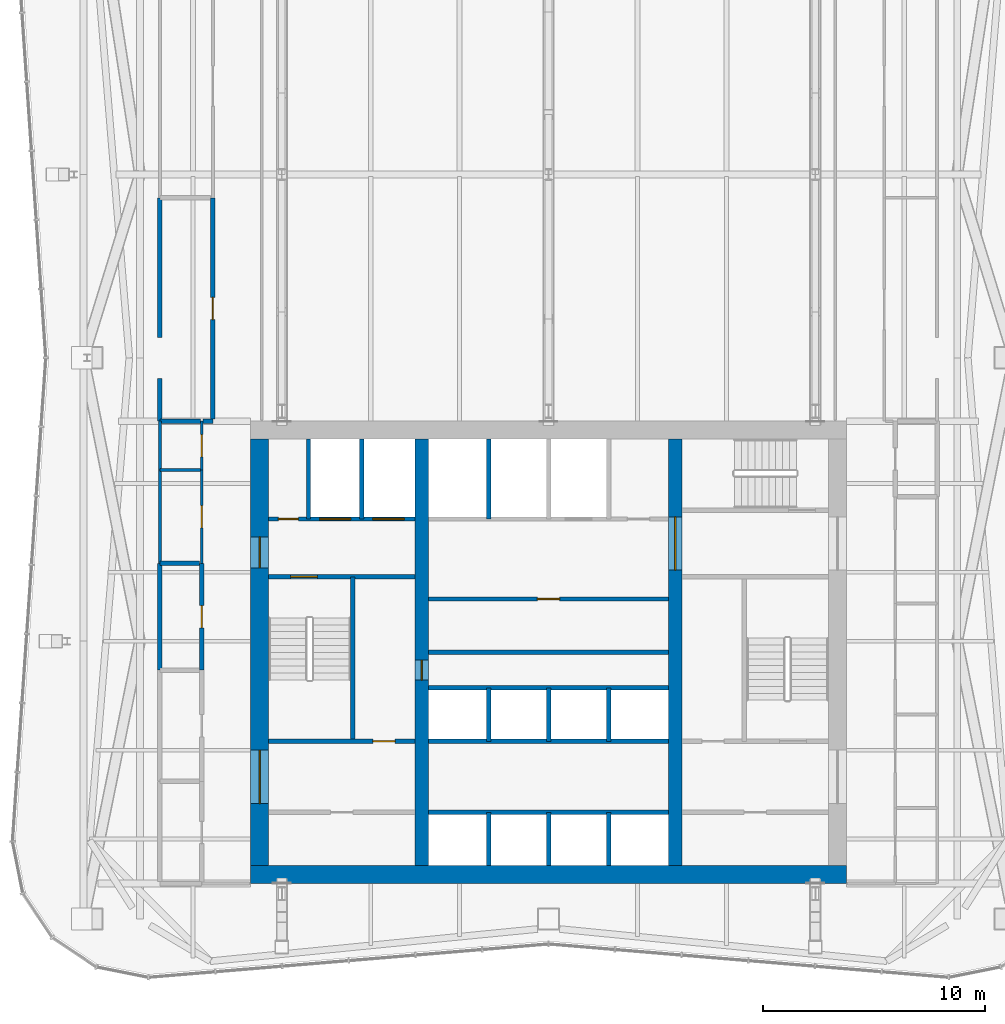
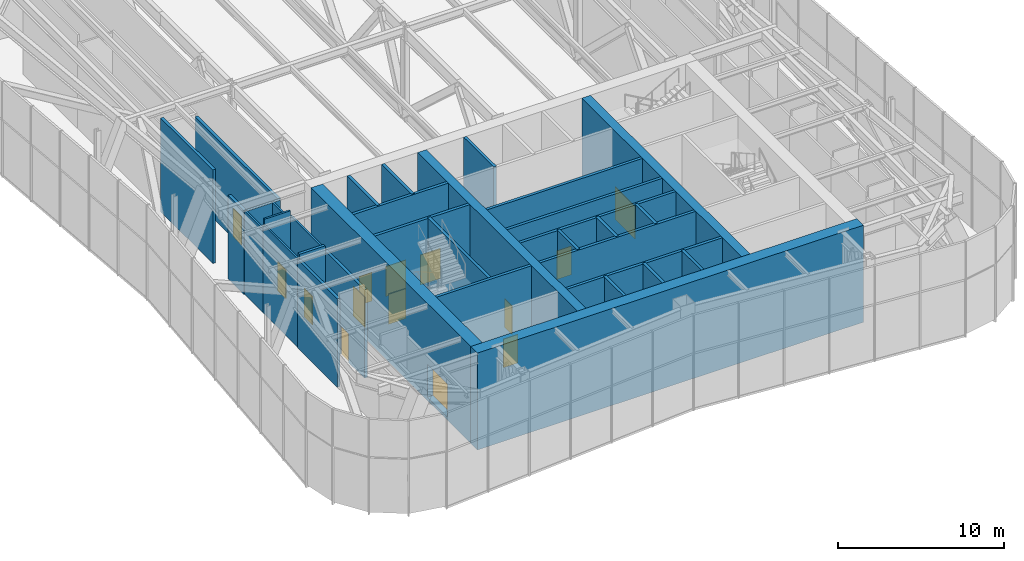
# One storey, part 12 of 17: 35 walls, 14 doors, 14 openings.
"""IFC4 building model written with IfcOpenShell, lengths in metres."""

from ifc_helpers import new_model, si_unit, direction, frame, frame_2d, origin, place, context, subcontext, project, spatial, rectangle, extrude, material, layer, layer_set, type_object, element, fill, save


model = new_model("IFC4")

# Units and contexts
model_context = context("Model", 3, precision=1e-05, world=origin(), true_north=direction((0.0, 1.0)))
body_context = subcontext(model_context, "Body", "Model", "MODEL_VIEW")
ifc_project = project(units=[si_unit("LENGTHUNIT", "METRE"), si_unit("AREAUNIT", "SQUARE_METRE"), si_unit("VOLUMEUNIT", "CUBIC_METRE"), si_unit("PLANEANGLEUNIT", "RADIAN"), si_unit("MASSUNIT", "GRAM", prefix="KILO")], contexts=[model_context])

# Site, building, storey
site_placement = place(None, origin())
site = spatial("IfcSite", under=ifc_project, at=site_placement, CompositionType="ELEMENT")
building_placement = place(site_placement, origin())
building = spatial("IfcBuilding", under=site, at=building_placement, Name="Verdant Reach Tower", CompositionType="ELEMENT")
storey_placement = place(building_placement, frame((0.0, 0.0, 282.0)))
storey = spatial("IfcBuildingStorey", under=building, at=storey_placement, Name="L65 Plant", CompositionType="ELEMENT", Elevation=282.0)

# Wall
ifc_material_1 = material(Name="Gypsum board on steel studs", Category="steel")
ifc_layer_1 = layer(ifc_material_1, 0.199951171875)
ifc_layer_set_1 = layer_set([ifc_layer_1], Name="CO-WALL-ROOM")
wall_type_1 = type_object("IfcWallType", Name="CO-WALL-ROOM", PredefinedType="PARTITIONING", material=ifc_layer_set_1)
wall_1_placement = place(storey_placement, frame((-5.39990234375, 28.0, 0.0), z_axis=(0.0, 0.0, 1.0), x_axis=(1.0, 0.0, 0.0)))
element("IfcWall", 1, at=wall_1_placement, inside=storey, type_object=wall_type_1, Name="Core partition, L65 Plant", PredefinedType="PARTITIONING", context=body_context, shape_type="SweptSolid", body=[
    extrude(rectangle(XDim=10.7998046875, YDim=0.199951171875, at=frame_2d((5.39990234375, 0.0))), origin(), (0.0, 0.0, 1.0), 6.8701171875),
])

# Wall, opening, door
wall_2_placement = place(storey_placement, frame((-5.39990234375, 30.39990234375, 0.0), z_axis=(0.0, 0.0, 1.0), x_axis=(1.0, 0.0, 0.0)))
wall_2 = element("IfcWall", 2, at=wall_2_placement, inside=storey, type_object=wall_type_1, Name="Core partition, L65 Plant", PredefinedType="PARTITIONING", context=body_context, shape_type="SweptSolid", body=[
    extrude(rectangle(XDim=10.7998046875, YDim=0.199951171875, at=frame_2d((5.39990234375, 0.0))), origin(), (0.0, 0.0, 1.0), 6.8701171875),
])
opening_1_placement = place(wall_2_placement, frame((4.89990234375, 0.0, 0.0)))
opening_1 = element("IfcOpeningElement", 3, at=opening_1_placement, cuts=wall_2, Name="Opening CD", PredefinedType="OPENING", context=body_context, shape_type="SweptSolid", body=[
    extrude(rectangle(XDim=1.0, YDim=2.10009765625, at=frame_2d((0.5, 1.050048828125))), frame((0.0, 0.10986328125, 0.0), z_axis=(0.0, -1.0, 0.0), x_axis=(1.0, 0.0, 0.0)), (0.0, 0.0, 1.0), 0.219970703125),
])
ifc_material_2 = material(Name="Timber", Category="wood")
door_type_1 = type_object("IfcDoorType", Name="CO-DOOR-ROOM", OperationType="NOTDEFINED", PredefinedType="DOOR", material=ifc_material_2)
door_1_placement = place(opening_1_placement, origin())
door_1 = element("IfcDoor", 4, at=door_1_placement, inside=storey, type_object=door_type_1, Name="Core room door, L65 Plant", OperationType="SINGLE_SWING_RIGHT", OverallHeight=2.10009765625, OverallWidth=1.0, PredefinedType="DOOR", context=body_context, shape_type="SweptSolid", body=[
    extrude(rectangle(XDim=1.0, YDim=2.10009765625, at=frame_2d((0.5, 1.050048828125))), frame((0.0, 0.02490234375, 0.0), z_axis=(0.0, -1.0, 0.0), x_axis=(1.0, 0.0, 0.0)), (0.0, 0.0, 1.0), 0.050048828125),
])
fill(opening_1, door_1)

# Walls
ifc_material_3 = material(Name="Concrete C40/50", Category="concrete")
ifc_layer_2 = layer(ifc_material_3, 0.199951171875)
ifc_layer_set_2 = layer_set([ifc_layer_2], Name="CO-WALL-SHAFT")
wall_type_2 = type_object("IfcWallType", Name="CO-WALL-SHAFT", PredefinedType="PARTITIONING", material=ifc_layer_set_2)
for number, where, z_axis, x_axis, name in (
    (5, (-5.39990234375, 20.800048828125, 0.0), (0.0, 0.0, 1.0), (1.0, 0.0, 0.0), "Lift shaft wall, L65 Plant"),
    (6, (-5.39990234375, 24.0, 0.0), (0.0, 0.0, 1.0), (1.0, 0.0, 0.0), "Lift shaft wall, L65 Plant"),
    (7, (-5.39990234375, 26.39990234375, 0.0), (0.0, 0.0, 1.0), (1.0, 0.0, 0.0), "Lift shaft wall, L65 Plant"),
):
    element("IfcWall", number, at=place(storey_placement, frame(where, z_axis=z_axis, x_axis=x_axis)), inside=storey, type_object=wall_type_2, Name=name, PredefinedType="PARTITIONING", context=body_context, shape_type="SweptSolid", body=[
        extrude(rectangle(XDim=10.7998046875, YDim=0.199951171875, at=frame_2d((5.39990234375, 0.0))), origin(), (0.0, 0.0, 1.0), 6.8701171875),
    ])

# Wall, openings, doors
wall_3_placement = place(storey_placement, frame((-12.60009765625, 34.0, 0.0), z_axis=(0.0, 0.0, 1.0), x_axis=(1.0, 0.0, 0.0)))
wall_3 = element("IfcWall", 8, at=wall_3_placement, inside=storey, type_object=wall_type_2, Name="Lift shaft wall, L65 Plant", PredefinedType="PARTITIONING", context=body_context, shape_type="SweptSolid", body=[
    extrude(rectangle(XDim=6.60009765625, YDim=0.199951171875, at=frame_2d((3.300048828125, 0.0))), origin(), (0.0, 0.0, 1.0), 6.8701171875),
])
opening_2_placement = place(wall_3_placement, frame((4.699951171875, 0.0, 0.0)))
opening_2 = element("IfcOpeningElement", 9, at=opening_2_placement, cuts=wall_3, Name="Opening LD-F1", PredefinedType="OPENING", context=body_context, shape_type="SweptSolid", body=[
    extrude(rectangle(XDim=1.39990234375, YDim=2.199951171875, at=frame_2d((0.699951171875, 1.10009765625))), frame((0.0, 0.10986328125, 0.0), z_axis=(0.0, -1.0, 0.0), x_axis=(1.0, 0.0, 0.0)), (0.0, 0.0, 1.0), 0.219970703125),
])
opening_3_placement = place(wall_3_placement, frame((2.300048828125, 0.0, 0.0)))
opening_3 = element("IfcOpeningElement", 10, at=opening_3_placement, cuts=wall_3, Name="Opening LD-F2", PredefinedType="OPENING", context=body_context, shape_type="SweptSolid", body=[
    extrude(rectangle(XDim=1.39990234375, YDim=2.199951171875, at=frame_2d((0.699951171875, 1.10009765625))), frame((0.0, 0.10986328125, 0.0), z_axis=(0.0, -1.0, 0.0), x_axis=(1.0, 0.0, 0.0)), (0.0, 0.0, 1.0), 0.219970703125),
])
opening_4_placement = place(wall_3_placement, frame((0.449951171875, 0.0, 0.0)))
opening_4 = element("IfcOpeningElement", 11, at=opening_4_placement, cuts=wall_3, Name="Opening RD", PredefinedType="OPENING", context=body_context, shape_type="SweptSolid", body=[
    extrude(rectangle(XDim=0.89990234375, YDim=2.10009765625, at=frame_2d((0.449951171875, 1.050048828125))), frame((0.0, 0.10986328125, 0.0), z_axis=(0.0, -1.0, 0.0), x_axis=(1.0, 0.0, 0.0)), (0.0, 0.0, 1.0), 0.219970703125),
])
ifc_material_4 = material(Name="Stainless steel", Category="steel")
door_type_2 = type_object("IfcDoorType", Name="CO-DOOR-LANDING-FF", OperationType="SLIDING_TO_LEFT", PredefinedType="DOOR", material=ifc_material_4)
door_2_placement = place(opening_2_placement, origin())
door_2 = element("IfcDoor", 12, at=door_2_placement, inside=storey, type_object=door_type_2, Name="Landing door F1, L65 Plant", OperationType="SLIDING_TO_LEFT", OverallHeight=2.199951171875, OverallWidth=1.39990234375, PredefinedType="DOOR", context=body_context, shape_type="SweptSolid", body=[
    extrude(rectangle(XDim=1.39990234375, YDim=2.199951171875, at=frame_2d((0.699951171875, 1.10009765625))), frame((0.0, 0.02490234375, 0.0), z_axis=(0.0, -1.0, 0.0), x_axis=(1.0, 0.0, 0.0)), (0.0, 0.0, 1.0), 0.050048828125),
])
fill(opening_2, door_2)
door_3_placement = place(opening_3_placement, origin())
door_3 = element("IfcDoor", 13, at=door_3_placement, inside=storey, type_object=door_type_2, Name="Landing door F2, L65 Plant", OperationType="SLIDING_TO_LEFT", OverallHeight=2.199951171875, OverallWidth=1.39990234375, PredefinedType="DOOR", context=body_context, shape_type="SweptSolid", body=[
    extrude(rectangle(XDim=1.39990234375, YDim=2.199951171875, at=frame_2d((0.699951171875, 1.10009765625))), frame((0.0, 0.02490234375, 0.0), z_axis=(0.0, -1.0, 0.0), x_axis=(1.0, 0.0, 0.0)), (0.0, 0.0, 1.0), 0.050048828125),
])
fill(opening_3, door_3)
ifc_material_5 = material(Name="Steel", Category="steel")
door_type_3 = type_object("IfcDoorType", Name="CO-DOOR-RISER", OperationType="NOTDEFINED", PredefinedType="DOOR", material=ifc_material_5)
door_4_placement = place(opening_4_placement, origin())
door_4 = element("IfcDoor", 14, at=door_4_placement, inside=storey, type_object=door_type_3, Name="Core room door, L65 Plant", OperationType="SINGLE_SWING_RIGHT", OverallHeight=2.10009765625, OverallWidth=0.89990234375, PredefinedType="DOOR", context=body_context, shape_type="SweptSolid", body=[
    extrude(rectangle(XDim=0.89990234375, YDim=2.10009765625, at=frame_2d((0.449951171875, 1.050048828125))), frame((0.0, 0.02490234375, 0.0), z_axis=(0.0, -1.0, 0.0), x_axis=(1.0, 0.0, 0.0)), (0.0, 0.0, 1.0), 0.050048828125),
])
fill(opening_4, door_4)

# Walls
for number, where, z_axis, x_axis, name in (
    (15, (-10.800048828125, 34.0, 0.0), (0.0, 0.0, 1.0), (0.0, 1.0, 0.0), "Lift shaft wall, L65 Plant"),
    (16, (-8.39990234375, 34.0, 0.0), (0.0, 0.0, 1.0), (0.0, 1.0, 0.0), "Lift shaft wall, L65 Plant"),
):
    element("IfcWall", number, at=place(storey_placement, frame(where, z_axis=z_axis, x_axis=x_axis)), inside=storey, type_object=wall_type_2, Name=name, PredefinedType="PARTITIONING", context=body_context, shape_type="SweptSolid", body=[
        extrude(rectangle(XDim=3.60009765625, YDim=0.199951171875, at=frame_2d((1.800048828125, 0.0))), origin(), (0.0, 0.0, 1.0), 6.8701171875),
    ])
wall_4_placement = place(storey_placement, frame((-2.699951171875, 18.39990234375, 0.0), z_axis=(0.0, 0.0, 1.0), x_axis=(0.0, 1.0, 0.0)))
element("IfcWall", 17, at=wall_4_placement, inside=storey, type_object=wall_type_2, Name="Lift shaft wall, L65 Plant", PredefinedType="PARTITIONING", context=body_context, shape_type="SweptSolid", body=[
    extrude(rectangle(XDim=2.400146484375, YDim=0.199951171875, at=frame_2d((1.2001953125, 0.0))), origin(), (0.0, 0.0, 1.0), 6.8701171875),
])
wall_5_placement = place(storey_placement, frame((-2.699951171875, 24.0, 0.0), z_axis=(0.0, 0.0, 1.0), x_axis=(0.0, 1.0, 0.0)))
element("IfcWall", 18, at=wall_5_placement, inside=storey, type_object=wall_type_2, Name="Lift shaft wall, L65 Plant", PredefinedType="PARTITIONING", context=body_context, shape_type="SweptSolid", body=[
    extrude(rectangle(XDim=2.39990234375, YDim=0.199951171875, at=frame_2d((1.199951171875, 0.0))), origin(), (0.0, 0.0, 1.0), 6.8701171875),
])
wall_6_placement = place(storey_placement, frame((-2.699951171875, 34.0, 0.0), z_axis=(0.0, 0.0, 1.0), x_axis=(0.0, 1.0, 0.0)))
element("IfcWall", 19, at=wall_6_placement, inside=storey, type_object=wall_type_2, Name="Lift shaft wall, L65 Plant", PredefinedType="PARTITIONING", context=body_context, shape_type="SweptSolid", body=[
    extrude(rectangle(XDim=3.60009765625, YDim=0.199951171875, at=frame_2d((1.800048828125, 0.0))), origin(), (0.0, 0.0, 1.0), 6.8701171875),
])
wall_7_placement = place(storey_placement, frame((0.0, 18.39990234375, 0.0), z_axis=(0.0, 0.0, 1.0), x_axis=(0.0, 1.0, 0.0)))
element("IfcWall", 20, at=wall_7_placement, inside=storey, type_object=wall_type_2, Name="Lift shaft wall, L65 Plant", PredefinedType="PARTITIONING", context=body_context, shape_type="SweptSolid", body=[
    extrude(rectangle(XDim=2.400146484375, YDim=0.199951171875, at=frame_2d((1.2001953125, 0.0))), origin(), (0.0, 0.0, 1.0), 6.8701171875),
])
wall_8_placement = place(storey_placement, frame((0.0, 24.0, 0.0), z_axis=(0.0, 0.0, 1.0), x_axis=(0.0, 1.0, 0.0)))
element("IfcWall", 21, at=wall_8_placement, inside=storey, type_object=wall_type_2, Name="Lift shaft wall, L65 Plant", PredefinedType="PARTITIONING", context=body_context, shape_type="SweptSolid", body=[
    extrude(rectangle(XDim=2.39990234375, YDim=0.199951171875, at=frame_2d((1.199951171875, 0.0))), origin(), (0.0, 0.0, 1.0), 6.8701171875),
])
wall_9_placement = place(storey_placement, frame((2.699951171875, 18.39990234375, 0.0), z_axis=(0.0, 0.0, 1.0), x_axis=(0.0, 1.0, 0.0)))
element("IfcWall", 22, at=wall_9_placement, inside=storey, type_object=wall_type_2, Name="Lift shaft wall, L65 Plant", PredefinedType="PARTITIONING", context=body_context, shape_type="SweptSolid", body=[
    extrude(rectangle(XDim=2.400146484375, YDim=0.199951171875, at=frame_2d((1.2001953125, 0.0))), origin(), (0.0, 0.0, 1.0), 6.8701171875),
])
wall_10_placement = place(storey_placement, frame((2.699951171875, 24.0, 0.0), z_axis=(0.0, 0.0, 1.0), x_axis=(0.0, 1.0, 0.0)))
element("IfcWall", 23, at=wall_10_placement, inside=storey, type_object=wall_type_2, Name="Lift shaft wall, L65 Plant", PredefinedType="PARTITIONING", context=body_context, shape_type="SweptSolid", body=[
    extrude(rectangle(XDim=2.39990234375, YDim=0.199951171875, at=frame_2d((1.199951171875, 0.0))), origin(), (0.0, 0.0, 1.0), 6.8701171875),
])

# Wall, opening, door
ifc_layer_3 = layer(ifc_material_3, 0.199951171875)
ifc_layer_set_3 = layer_set([ifc_layer_3], Name="CO-WALL-STAIR")
wall_type_3 = type_object("IfcWallType", Name="CO-WALL-STAIR", PredefinedType="PARTITIONING", material=ifc_layer_set_3)
wall_11_placement = place(storey_placement, frame((-12.60009765625, 24.0, 0.0), z_axis=(0.0, 0.0, 1.0), x_axis=(1.0, 0.0, 0.0)))
wall_11 = element("IfcWall", 24, at=wall_11_placement, inside=storey, type_object=wall_type_3, Name="Stair enclosure wall, L65 Plant", PredefinedType="PARTITIONING", context=body_context, shape_type="SweptSolid", body=[
    extrude(rectangle(XDim=6.60009765625, YDim=0.199951171875, at=frame_2d((3.300048828125, 0.0))), origin(), (0.0, 0.0, 1.0), 6.8701171875),
])
opening_5_placement = place(wall_11_placement, frame((4.699951171875, 0.0, 0.0)))
opening_5 = element("IfcOpeningElement", 25, at=opening_5_placement, cuts=wall_11, Name="Opening CD", PredefinedType="OPENING", context=body_context, shape_type="SweptSolid", body=[
    extrude(rectangle(XDim=1.0, YDim=2.10009765625, at=frame_2d((0.5, 1.050048828125))), frame((0.0, 0.10986328125, 0.0), z_axis=(0.0, -1.0, 0.0), x_axis=(1.0, 0.0, 0.0)), (0.0, 0.0, 1.0), 0.219970703125),
])
door_5_placement = place(opening_5_placement, origin())
door_5 = element("IfcDoor", 26, at=door_5_placement, inside=storey, type_object=door_type_1, Name="Core room door, L65 Plant", OperationType="SINGLE_SWING_LEFT", OverallHeight=2.10009765625, OverallWidth=1.0, PredefinedType="DOOR", context=body_context, shape_type="SweptSolid", body=[
    extrude(rectangle(XDim=1.0, YDim=2.10009765625, at=frame_2d((0.5, 1.050048828125))), frame((0.0, 0.02490234375, 0.0), z_axis=(0.0, -1.0, 0.0), x_axis=(1.0, 0.0, 0.0)), (0.0, 0.0, 1.0), 0.050048828125),
])
fill(opening_5, door_5)

wall_12_placement = place(storey_placement, frame((-12.60009765625, 31.39990234375, 0.0), z_axis=(0.0, 0.0, 1.0), x_axis=(1.0, 0.0, 0.0)))
wall_12 = element("IfcWall", 27, at=wall_12_placement, inside=storey, type_object=wall_type_3, Name="Stair enclosure wall, L65 Plant", PredefinedType="PARTITIONING", context=body_context, shape_type="SweptSolid", body=[
    extrude(rectangle(XDim=6.60009765625, YDim=0.199951171875, at=frame_2d((3.300048828125, 0.0))), origin(), (0.0, 0.0, 1.0), 6.8701171875),
])
opening_6_placement = place(wall_12_placement, frame((1.0, 0.0, 0.0)))
opening_6 = element("IfcOpeningElement", 28, at=opening_6_placement, cuts=wall_12, Name="Opening SD", PredefinedType="OPENING", context=body_context, shape_type="SweptSolid", body=[
    extrude(rectangle(XDim=1.199951171875, YDim=2.199951171875, at=frame_2d((0.60009765625, 1.10009765625))), frame((0.0, 0.10986328125, 0.0), z_axis=(0.0, -1.0, 0.0), x_axis=(1.0, 0.0, 0.0)), (0.0, 0.0, 1.0), 0.219970703125),
])
door_type_4 = type_object("IfcDoorType", Name="CO-DOOR-STAIR", OperationType="NOTDEFINED", PredefinedType="DOOR", material=ifc_material_5)
door_6_placement = place(opening_6_placement, origin())
door_6 = element("IfcDoor", 29, at=door_6_placement, inside=storey, type_object=door_type_4, Name="Stair door, L65 Plant", OperationType="SINGLE_SWING_LEFT", OverallHeight=2.199951171875, OverallWidth=1.199951171875, PredefinedType="DOOR", context=body_context, shape_type="SweptSolid", body=[
    extrude(rectangle(XDim=1.199951171875, YDim=2.199951171875, at=frame_2d((0.60009765625, 1.10009765625))), frame((0.0, 0.02490234375, 0.0), z_axis=(0.0, -1.0, 0.0), x_axis=(1.0, 0.0, 0.0)), (0.0, 0.0, 1.0), 0.050048828125),
])
fill(opening_6, door_6)

# Wall
wall_13_placement = place(storey_placement, frame((-8.800048828125, 24.0, 0.0), z_axis=(0.0, 0.0, 1.0), x_axis=(0.0, 1.0, 0.0)))
element("IfcWall", 30, at=wall_13_placement, inside=storey, type_object=wall_type_3, Name="Stair enclosure wall, L65 Plant", PredefinedType="PARTITIONING", context=body_context, shape_type="SweptSolid", body=[
    extrude(rectangle(XDim=7.39990234375, YDim=0.199951171875, at=frame_2d((3.699951171875, 0.0))), origin(), (0.0, 0.0, 1.0), 6.8701171875),
])

# Wall, opening, door
ifc_material_6 = material(Name="Concrete C70/85", Category="concrete")
ifc_layer_4 = layer(ifc_material_6, 0.60009765625)
ifc_layer_set_4 = layer_set([ifc_layer_4], Name="ST-CORE-WALL-600")
wall_type_4 = type_object("IfcWallType", Name="ST-CORE-WALL-600", PredefinedType="SHEAR", material=ifc_layer_set_4)
wall_14_placement = place(storey_placement, frame((-5.699951171875, 18.39990234375, -0.25), z_axis=(0.0, 0.0, 1.0), x_axis=(0.0, 1.0, 0.0)))
wall_14 = element("IfcWall", 31, at=wall_14_placement, inside=storey, type_object=wall_type_4, Name="Core wall XW, L65 Plant", PredefinedType="SHEAR", context=body_context, shape_type="SweptSolid", body=[
    extrude(rectangle(XDim=19.2001953125, YDim=0.60009765625, at=frame_2d((9.60009765625, 0.0))), origin(), (0.0, 0.0, 1.0), 7.1201171875),
])
opening_7_placement = place(wall_14_placement, frame((8.35009765625, 0.0, 0.25)))
opening_7 = element("IfcOpeningElement", 32, at=opening_7_placement, cuts=wall_14, Name="Opening RD", PredefinedType="OPENING", context=body_context, shape_type="SweptSolid", body=[
    extrude(rectangle(XDim=0.89990234375, YDim=2.10009765625, at=frame_2d((0.449951171875, 1.050048828125))), frame((0.0, 0.31005859375, 0.0), z_axis=(0.0, -1.0, 0.0), x_axis=(1.0, 0.0, 0.0)), (0.0, 0.0, 1.0), 0.6201171875),
])
door_7_placement = place(opening_7_placement, origin())
door_7 = element("IfcDoor", 33, at=door_7_placement, inside=storey, type_object=door_type_3, Name="Riser door, L65 Plant", OperationType="SINGLE_SWING_LEFT", OverallHeight=2.10009765625, OverallWidth=0.89990234375, PredefinedType="DOOR", context=body_context, shape_type="SweptSolid", body=[
    extrude(rectangle(XDim=0.89990234375, YDim=2.10009765625, at=frame_2d((0.449951171875, 1.050048828125))), frame((0.0, 0.02490234375, 0.0), z_axis=(0.0, -1.0, 0.0), x_axis=(1.0, 0.0, 0.0)), (0.0, 0.0, 1.0), 0.050048828125),
])
fill(opening_7, door_7)

wall_15_placement = place(storey_placement, frame((5.699951171875, 18.39990234375, -0.25), z_axis=(0.0, 0.0, 1.0), x_axis=(0.0, 1.0, 0.0)))
wall_15 = element("IfcWall", 34, at=wall_15_placement, inside=storey, type_object=wall_type_4, Name="Core wall XE, L65 Plant", PredefinedType="SHEAR", context=body_context, shape_type="SweptSolid", body=[
    extrude(rectangle(XDim=19.2001953125, YDim=0.60009765625, at=frame_2d((9.60009765625, 0.0))), origin(), (0.0, 0.0, 1.0), 7.1201171875),
])
opening_8_placement = place(wall_15_placement, frame((13.300048828125, 0.0, 0.25)))
opening_8 = element("IfcOpeningElement", 35, at=opening_8_placement, cuts=wall_15, Name="Opening LB", PredefinedType="OPENING", context=body_context, shape_type="SweptSolid", body=[
    extrude(rectangle(XDim=2.39990234375, YDim=2.39990234375, at=frame_2d((1.199951171875, 1.199951171875))), frame((0.0, 0.31005859375, 0.0), z_axis=(0.0, -1.0, 0.0), x_axis=(1.0, 0.0, 0.0)), (0.0, 0.0, 1.0), 0.6201171875),
])
ifc_material_7 = material(Name="Glass and steel", Category="steel")
door_type_5 = type_object("IfcDoorType", Name="CO-DOOR-LOBBY", OperationType="DOUBLE_DOOR_SINGLE_SWING", PredefinedType="DOOR", material=ifc_material_7)
door_8_placement = place(opening_8_placement, origin())
door_8 = element("IfcDoor", 36, at=door_8_placement, inside=storey, type_object=door_type_5, Name="Core entrance door, L65 Plant", OperationType="DOUBLE_DOOR_SINGLE_SWING", OverallHeight=2.39990234375, OverallWidth=2.39990234375, PredefinedType="DOOR", context=body_context, shape_type="SweptSolid", body=[
    extrude(rectangle(XDim=2.39990234375, YDim=2.39990234375, at=frame_2d((1.199951171875, 1.199951171875))), frame((0.0, 0.02490234375, 0.0), z_axis=(0.0, -1.0, 0.0), x_axis=(1.0, 0.0, 0.0)), (0.0, 0.0, 1.0), 0.050048828125),
])
fill(opening_8, door_8)

# Wall
ifc_layer_5 = layer(ifc_material_6, 0.800048828125)
ifc_layer_set_5 = layer_set([ifc_layer_5], Name="ST-CORE-WALL-800")
wall_type_5 = type_object("IfcWallType", Name="ST-CORE-WALL-800", PredefinedType="SHEAR", material=ifc_layer_set_5)
wall_16_placement = place(storey_placement, frame((-13.39990234375, 18.0, -0.25), z_axis=(0.0, 0.0, 1.0), x_axis=(1.0, 0.0, 0.0)))
element("IfcWall", 37, at=wall_16_placement, inside=storey, type_object=wall_type_5, Name="Core wall S, L65 Plant", PredefinedType="SHEAR", context=body_context, shape_type="SweptSolid", body=[
    extrude(rectangle(XDim=26.7998046875, YDim=0.800048828125, at=frame_2d((13.39990234375, 0.0))), origin(), (0.0, 0.0, 1.0), 7.1201171875),
])

# Wall, openings, doors
wall_17_placement = place(storey_placement, frame((-13.0, 18.39990234375, -0.25), z_axis=(0.0, 0.0, 1.0), x_axis=(0.0, 1.0, 0.0)))
wall_17 = element("IfcWall", 38, at=wall_17_placement, inside=storey, type_object=wall_type_5, Name="Core wall W, L65 Plant", PredefinedType="SHEAR", context=body_context, shape_type="SweptSolid", body=[
    extrude(rectangle(XDim=19.2001953125, YDim=0.800048828125, at=frame_2d((9.60009765625, 0.0))), origin(), (0.0, 0.0, 1.0), 7.1201171875),
])
opening_9_placement = place(wall_17_placement, frame((2.800048828125, 0.0, 0.25)))
opening_9 = element("IfcOpeningElement", 39, at=opening_9_placement, cuts=wall_17, Name="Opening LB", PredefinedType="OPENING", context=body_context, shape_type="SweptSolid", body=[
    extrude(rectangle(XDim=2.39990234375, YDim=2.39990234375, at=frame_2d((1.199951171875, 1.199951171875))), frame((0.0, 0.409912109375, 0.0), z_axis=(0.0, -1.0, 0.0), x_axis=(1.0, 0.0, 0.0)), (0.0, 0.0, 1.0), 0.820068359375),
])
opening_10_placement = place(wall_17_placement, frame((13.39990234375, 0.0, 0.25)))
opening_10 = element("IfcOpeningElement", 40, at=opening_10_placement, cuts=wall_17, Name="Opening FL", PredefinedType="OPENING", context=body_context, shape_type="SweptSolid", body=[
    extrude(rectangle(XDim=1.39990234375, YDim=2.199951171875, at=frame_2d((0.699951171875, 1.10009765625))), frame((0.0, 0.409912109375, 0.0), z_axis=(0.0, -1.0, 0.0), x_axis=(1.0, 0.0, 0.0)), (0.0, 0.0, 1.0), 0.820068359375),
])
door_type_6 = type_object("IfcDoorType", Name="CO-DOOR-FFL", OperationType="NOTDEFINED", PredefinedType="DOOR", material=ifc_material_5)
door_9_placement = place(opening_10_placement, origin())
door_9 = element("IfcDoor", 41, at=door_9_placement, inside=storey, type_object=door_type_6, Name="Core entrance door, L65 Plant", OperationType="SINGLE_SWING_LEFT", OverallHeight=2.199951171875, OverallWidth=1.39990234375, PredefinedType="DOOR", context=body_context, shape_type="SweptSolid", body=[
    extrude(rectangle(XDim=1.39990234375, YDim=2.199951171875, at=frame_2d((0.699951171875, 1.10009765625))), frame((0.0, 0.02490234375, 0.0), z_axis=(0.0, -1.0, 0.0), x_axis=(1.0, 0.0, 0.0)), (0.0, 0.0, 1.0), 0.050048828125),
])
fill(opening_10, door_9)
door_10_placement = place(opening_9_placement, origin())
door_10 = element("IfcDoor", 42, at=door_10_placement, inside=storey, type_object=door_type_5, Name="Core entrance door, L65 Plant", OperationType="DOUBLE_DOOR_SINGLE_SWING", OverallHeight=2.39990234375, OverallWidth=2.39990234375, PredefinedType="DOOR", context=body_context, shape_type="SweptSolid", body=[
    extrude(rectangle(XDim=2.39990234375, YDim=2.39990234375, at=frame_2d((1.199951171875, 1.199951171875))), frame((0.0, 0.02490234375, 0.0), z_axis=(0.0, -1.0, 0.0), x_axis=(1.0, 0.0, 0.0)), (0.0, 0.0, 1.0), 0.050048828125),
])
fill(opening_9, door_10)

# Wall, opening, door
ifc_material_8 = material(Name="Gypsum board on steel studs, fire rated", Category="steel")
ifc_layer_6 = layer(ifc_material_8, 0.125)
ifc_layer_set_6 = layer_set([ifc_layer_6], Name="SV-W2 Plant wall 125 EI 60")
wall_type_6 = type_object("IfcWallType", Name="SV-W2 Plant wall 125 EI 60", PredefinedType="PARTITIONING", material=ifc_layer_set_6)
wall_18_placement = place(storey_placement, frame((-15.60009765625, 36.199951171875, 0.0), z_axis=(0.0, 0.0, 1.0), x_axis=(0.0, -1.0, 0.0)))
wall_18 = element("IfcWall", 43, at=wall_18_placement, inside=storey, type_object=wall_type_6, Name="Partition L65.20", PredefinedType="PARTITIONING", context=body_context, shape_type="SweptSolid", body=[
    extrude(rectangle(XDim=4.199951171875, YDim=0.125, at=frame_2d((2.10009765625, 0.0))), origin(), (0.0, 0.0, 1.0), 6.47998046875),
])
opening_11_placement = place(wall_18_placement, frame((1.60009765625, 0.0, 0.0)))
opening_11 = element("IfcOpeningElement", 44, at=opening_11_placement, cuts=wall_18, Name="Opening SD2", PredefinedType="OPENING", context=body_context, shape_type="SweptSolid", body=[
    extrude(rectangle(XDim=1.0, YDim=2.10009765625, at=frame_2d((0.5, 1.050048828125))), frame((0.0, 0.072509765625, 0.0), z_axis=(0.0, -1.0, 0.0), x_axis=(1.0, 0.0, 0.0)), (0.0, 0.0, 1.0), 0.14501953125),
])
ifc_material_9 = material(Name="Steel door leaf, fire rated", Category="steel")
door_type_7 = type_object("IfcDoorType", Name="SV-D2 Door 1000x2100 FD60", OperationType="NOTDEFINED", PredefinedType="DOOR", material=ifc_material_9)
door_11_placement = place(opening_11_placement, origin())
door_11 = element("IfcDoor", 45, at=door_11_placement, inside=storey, type_object=door_type_7, Name="Door L65-012", OperationType="SINGLE_SWING_RIGHT", OverallHeight=2.10009765625, OverallWidth=1.0, PredefinedType="DOOR", context=body_context, shape_type="SweptSolid", body=[
    extrude(rectangle(XDim=1.0, YDim=2.10009765625, at=frame_2d((0.5, 1.050048828125))), frame((0.0, 0.02490234375, 0.0), z_axis=(0.0, -1.0, 0.0), x_axis=(1.0, 0.0, 0.0)), (0.0, 0.0, 1.0), 0.050048828125),
])
fill(opening_11, door_11)

wall_19_placement = place(storey_placement, frame((-15.60009765625, 38.39990234375, 0.0), z_axis=(0.0, 0.0, 1.0), x_axis=(0.0, -1.0, 0.0)))
wall_19 = element("IfcWall", 46, at=wall_19_placement, inside=storey, type_object=wall_type_6, Name="Partition L65.21", PredefinedType="PARTITIONING", context=body_context, shape_type="SweptSolid", body=[
    extrude(rectangle(XDim=2.199951171875, YDim=0.125, at=frame_2d((1.10009765625, 0.0))), origin(), (0.0, 0.0, 1.0), 6.139892578125),
])
opening_12_placement = place(wall_19_placement, frame((0.60009765625, 0.0, 0.0)))
opening_12 = element("IfcOpeningElement", 47, at=opening_12_placement, cuts=wall_19, Name="Opening SD2", PredefinedType="OPENING", context=body_context, shape_type="SweptSolid", body=[
    extrude(rectangle(XDim=1.0, YDim=2.10009765625, at=frame_2d((0.5, 1.050048828125))), frame((0.0, 0.072509765625, 0.0), z_axis=(0.0, -1.0, 0.0), x_axis=(1.0, 0.0, 0.0)), (0.0, 0.0, 1.0), 0.14501953125),
])
door_12_placement = place(opening_12_placement, origin())
door_12 = element("IfcDoor", 48, at=door_12_placement, inside=storey, type_object=door_type_7, Name="Door L65-013", OperationType="SINGLE_SWING_LEFT", OverallHeight=2.10009765625, OverallWidth=1.0, PredefinedType="DOOR", context=body_context, shape_type="SweptSolid", body=[
    extrude(rectangle(XDim=1.0, YDim=2.10009765625, at=frame_2d((0.5, 1.050048828125))), frame((0.0, 0.02490234375, 0.0), z_axis=(0.0, -1.0, 0.0), x_axis=(1.0, 0.0, 0.0)), (0.0, 0.0, 1.0), 0.050048828125),
])
fill(opening_12, door_12)

# Walls
wall_20_placement = place(storey_placement, frame((-17.48193359375, 36.199951171875, 0.0), z_axis=(0.0, 0.0, 1.0), x_axis=(1.0, 0.0, 0.0)))
element("IfcWall", 49, at=wall_20_placement, inside=storey, type_object=wall_type_6, Name="Partition L65.29", PredefinedType="PARTITIONING", context=body_context, shape_type="SweptSolid", body=[
    extrude(rectangle(XDim=1.8193359375, YDim=0.125, at=frame_2d((0.90966796875, 0.0))), origin(), (0.0, 0.0, 1.0), 6.8701171875),
])
wall_21_placement = place(storey_placement, frame((-17.48193359375, 32.001953125, 0.0), z_axis=(0.0, 0.0, 1.0), x_axis=(0.0, 1.0, 0.0)))
element("IfcWall", 50, at=wall_21_placement, inside=storey, type_object=wall_type_6, Name="Partition L65.52", PredefinedType="PARTITIONING", context=body_context, shape_type="SweptSolid", body=[
    extrude(rectangle(XDim=4.196044921875, YDim=0.125, at=frame_2d((2.09814453125, 0.0))), origin(), (0.0, 0.0, 1.0), 6.47998046875),
])
wall_22_placement = place(storey_placement, frame((-17.48193359375, 36.201904296875, 0.0), z_axis=(0.0, 0.0, 1.0), x_axis=(0.0, 1.0, 0.0)))
element("IfcWall", 51, at=wall_22_placement, inside=storey, type_object=wall_type_6, Name="Partition L65.53", PredefinedType="PARTITIONING", context=body_context, shape_type="SweptSolid", body=[
    extrude(rectangle(XDim=2.196044921875, YDim=0.125, at=frame_2d((1.09814453125, 0.0))), origin(), (0.0, 0.0, 1.0), 6.139892578125),
])

# Wall, opening, door
ifc_material_10 = material(Name="Calcium silicate board on steel studs, fire rated", Category="steel")
ifc_layer_7 = layer(ifc_material_10, 0.199951171875)
ifc_layer_set_7 = layer_set([ifc_layer_7], Name="SV-W3 Fire wall 200 EI 120")
wall_type_7 = type_object("IfcWallType", Name="SV-W3 Fire wall 200 EI 120", PredefinedType="PARTITIONING", material=ifc_layer_set_7)
wall_23_placement = place(storey_placement, frame((-15.60009765625, 32.0, 0.0), z_axis=(0.0, 0.0, 1.0), x_axis=(0.0, -1.0, 0.0)))
wall_23 = element("IfcWall", 52, at=wall_23_placement, inside=storey, type_object=wall_type_7, Name="Partition L65.19", PredefinedType="PARTITIONING", context=body_context, shape_type="SweptSolid", body=[
    extrude(rectangle(XDim=4.800048828125, YDim=0.199951171875, at=frame_2d((2.39990234375, 0.0))), origin(), (0.0, 0.0, 1.0), 6.47998046875),
])
opening_13_placement = place(wall_23_placement, frame((1.89990234375, 0.0, 0.0)))
opening_13 = element("IfcOpeningElement", 53, at=opening_13_placement, cuts=wall_23, Name="Opening SD4", PredefinedType="OPENING", context=body_context, shape_type="SweptSolid", body=[
    extrude(rectangle(XDim=1.0, YDim=2.10009765625, at=frame_2d((0.5, 1.050048828125))), frame((0.0, 0.10986328125, 0.0), z_axis=(0.0, -1.0, 0.0), x_axis=(1.0, 0.0, 0.0)), (0.0, 0.0, 1.0), 0.219970703125),
])
door_type_8 = type_object("IfcDoorType", Name="SV-D4 Door 1000x2100 FD120", OperationType="NOTDEFINED", PredefinedType="DOOR", material=ifc_material_9)
door_13_placement = place(opening_13_placement, origin())
door_13 = element("IfcDoor", 54, at=door_13_placement, inside=storey, type_object=door_type_8, Name="Door L65-011", OperationType="SINGLE_SWING_LEFT", OverallHeight=2.10009765625, OverallWidth=1.0, PredefinedType="DOOR", context=body_context, shape_type="SweptSolid", body=[
    extrude(rectangle(XDim=1.0, YDim=2.10009765625, at=frame_2d((0.5, 1.050048828125))), frame((0.0, 0.02490234375, 0.0), z_axis=(0.0, -1.0, 0.0), x_axis=(1.0, 0.0, 0.0)), (0.0, 0.0, 1.0), 0.050048828125),
])
fill(opening_13, door_13)

# Wall
wall_24_placement = place(storey_placement, frame((-15.53759765625, 38.39990234375, 0.0), z_axis=(0.0, 0.0, 1.0), x_axis=(1.0, 0.0, 0.0)))
element("IfcWall", 55, at=wall_24_placement, inside=storey, type_object=wall_type_7, Name="Partition L65.22", PredefinedType="PARTITIONING", context=body_context, shape_type="SweptSolid", body=[
    extrude(rectangle(XDim=0.4375, YDim=0.199951171875, at=frame_2d((0.21875, 0.0))), origin(), (0.0, 0.0, 1.0), 6.139892578125),
])

# Wall, opening, door
wall_25_placement = place(storey_placement, frame((-15.10009765625, 48.448974609375, 0.0), z_axis=(0.0, 0.0, 1.0), x_axis=(0.0, -1.0, 0.0)))
wall_25 = element("IfcWall", 56, at=wall_25_placement, inside=storey, type_object=wall_type_7, Name="Partition L65.23", PredefinedType="PARTITIONING", context=body_context, shape_type="SweptSolid", body=[
    extrude(rectangle(XDim=9.948974609375, YDim=0.199951171875, at=frame_2d((4.974609375, 0.0))), origin(), (0.0, 0.0, 1.0), 6.139892578125),
])
opening_14_placement = place(wall_25_placement, frame((4.474609375, 0.0, 0.0)))
opening_14 = element("IfcOpeningElement", 57, at=opening_14_placement, cuts=wall_25, Name="Opening SD4", PredefinedType="OPENING", context=body_context, shape_type="SweptSolid", body=[
    extrude(rectangle(XDim=1.0, YDim=2.10009765625, at=frame_2d((0.5, 1.050048828125))), frame((0.0, 0.10986328125, 0.0), z_axis=(0.0, -1.0, 0.0), x_axis=(1.0, 0.0, 0.0)), (0.0, 0.0, 1.0), 0.219970703125),
])
door_14_placement = place(opening_14_placement, origin())
door_14 = element("IfcDoor", 58, at=door_14_placement, inside=storey, type_object=door_type_8, Name="Door L65-014", OperationType="SINGLE_SWING_RIGHT", OverallHeight=2.10009765625, OverallWidth=1.0, PredefinedType="DOOR", context=body_context, shape_type="SweptSolid", body=[
    extrude(rectangle(XDim=1.0, YDim=2.10009765625, at=frame_2d((0.5, 1.050048828125))), frame((0.0, 0.02490234375, 0.0), z_axis=(0.0, -1.0, 0.0), x_axis=(1.0, 0.0, 0.0)), (0.0, 0.0, 1.0), 0.050048828125),
])
fill(opening_14, door_14)

# Walls
wall_26_placement = place(storey_placement, frame((-17.48193359375, 32.0, 0.0), z_axis=(0.0, 0.0, 1.0), x_axis=(1.0, 0.0, 0.0)))
element("IfcWall", 59, at=wall_26_placement, inside=storey, type_object=wall_type_7, Name="Partition L65.28", PredefinedType="PARTITIONING", context=body_context, shape_type="SweptSolid", body=[
    extrude(rectangle(XDim=1.781982421875, YDim=0.199951171875, at=frame_2d((0.89111328125, 0.0))), origin(), (0.0, 0.0, 1.0), 6.8701171875),
])
wall_27_placement = place(storey_placement, frame((-17.48193359375, 38.39990234375, 0.0), z_axis=(0.0, 0.0, 1.0), x_axis=(1.0, 0.0, 0.0)))
element("IfcWall", 60, at=wall_27_placement, inside=storey, type_object=wall_type_7, Name="Partition L65.30", PredefinedType="PARTITIONING", context=body_context, shape_type="SweptSolid", body=[
    extrude(rectangle(XDim=1.8193359375, YDim=0.199951171875, at=frame_2d((0.90966796875, 0.0))), origin(), (0.0, 0.0, 1.0), 6.139892578125),
])
wall_28_placement = place(storey_placement, frame((-17.48193359375, 27.201904296875, 0.0), z_axis=(0.0, 0.0, 1.0), x_axis=(0.0, 1.0, 0.0)))
element("IfcWall", 61, at=wall_28_placement, inside=storey, type_object=wall_type_7, Name="Partition L65.51", PredefinedType="PARTITIONING", context=body_context, shape_type="SweptSolid", body=[
    extrude(rectangle(XDim=4.796142578125, YDim=0.199951171875, at=frame_2d((2.39794921875, 0.0))), origin(), (0.0, 0.0, 1.0), 6.47998046875),
])
wall_29_placement = place(storey_placement, frame((-17.48193359375, 38.402099609375, 0.0), z_axis=(0.0, 0.0, 1.0), x_axis=(0.0, 1.0, 0.0)))
element("IfcWall", 62, at=wall_29_placement, inside=storey, type_object=wall_type_7, Name="Partition L65.54", PredefinedType="PARTITIONING", context=body_context, shape_type="SweptSolid", body=[
    extrude(rectangle(XDim=1.927001953125, YDim=0.199951171875, at=frame_2d((0.96337890625, 0.0))), origin(), (0.0, 0.0, 1.0), 6.139892578125),
])
wall_30_placement = place(storey_placement, frame((-17.48193359375, 42.1708984375, 0.0), z_axis=(0.0, 0.0, 1.0), x_axis=(0.0, 1.0, 0.0)))
element("IfcWall", 63, at=wall_30_placement, inside=storey, type_object=wall_type_7, Name="Partition L65.55", PredefinedType="PARTITIONING", context=body_context, shape_type="SweptSolid", body=[
    extrude(rectangle(XDim=6.276123046875, YDim=0.199951171875, at=frame_2d((3.13818359375, 0.0))), origin(), (0.0, 0.0, 1.0), 6.8701171875),
])

save(model, "model.ifc")
